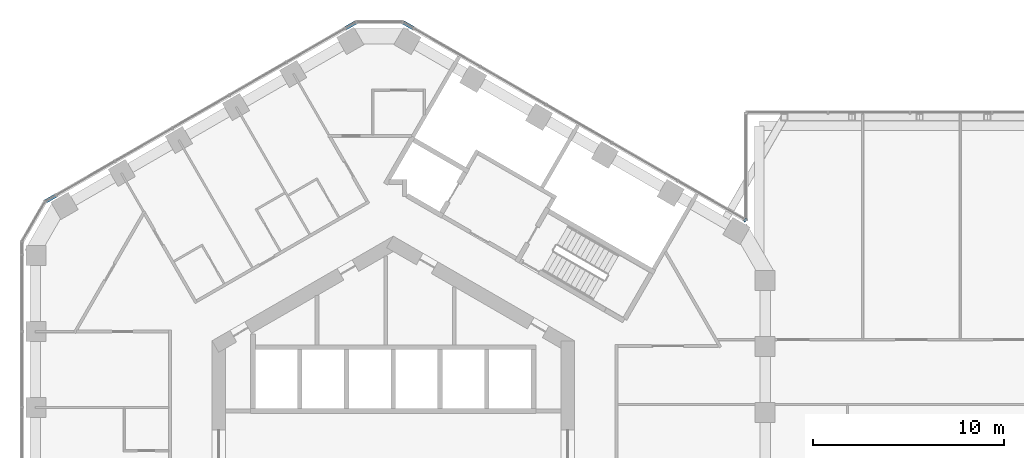
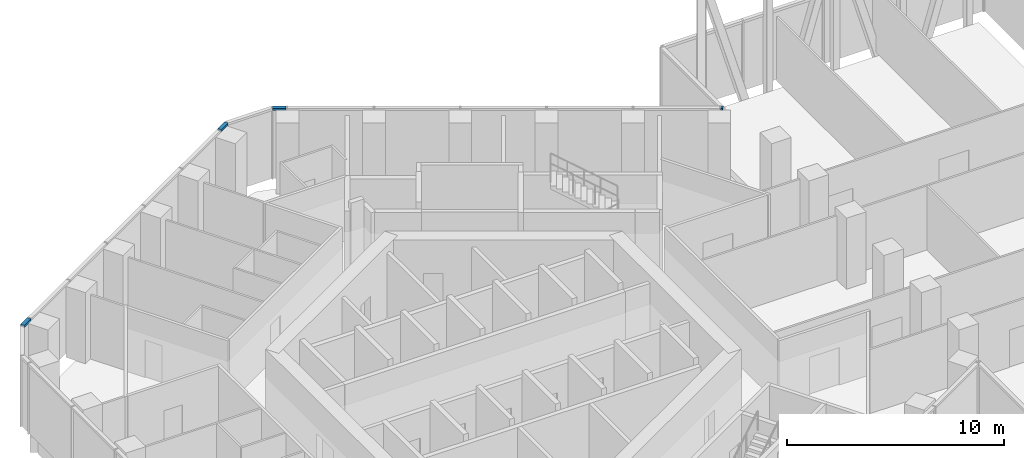
# One storey, part 11 of 24: 4 members, 3 elements without a shape of their own.
"""IFC4 building model written with IfcOpenShell, lengths in metres."""

from ifc_helpers import new_model, si_unit, direction, frame, origin, origin_2d, place, context, subcontext, project, spatial, rectangle, extrude, material, layer, layer_set, material_profile, profile_set, type_object, element, aggregate, save


model = new_model("IFC4")

# Units and contexts
model_context = context("Model", 3, precision=1e-05, world=origin(), true_north=direction((0.0, 1.0)))
body_context = subcontext(model_context, "Body", "Model", "MODEL_VIEW")
ifc_project = project(units=[si_unit("LENGTHUNIT", "METRE"), si_unit("AREAUNIT", "SQUARE_METRE"), si_unit("VOLUMEUNIT", "CUBIC_METRE"), si_unit("PLANEANGLEUNIT", "RADIAN"), si_unit("MASSUNIT", "GRAM", prefix="KILO")], contexts=[model_context])

# Site, building, storey
site_placement = place(None, origin())
site = spatial("IfcSite", under=ifc_project, at=site_placement, CompositionType="ELEMENT")
building_placement = place(site_placement, origin())
building = spatial("IfcBuilding", under=site, at=building_placement, Name="Ayvan Gate Tower", CompositionType="ELEMENT")
storey_placement = place(building_placement, frame((0.0, 0.0, 124.5)))
storey = spatial("IfcBuildingStorey", under=building, at=storey_placement, Name="L33", CompositionType="ELEMENT", Elevation=124.5)

# Curtain wall, member
ifc_material = material(Name="Bronze anodised aluminium", Category="aluminium")
ifc_layer = layer(ifc_material, 0.199951171875)
ifc_layer_set = layer_set([ifc_layer], Name="Bronze anodised aluminium")
curtain_wall_type = type_object("IfcCurtainWallType", Name="Stick curtain wall CW-6", PredefinedType="NOTDEFINED", material=ifc_layer_set)
curtain_wall_1_placement = place(storey_placement, origin())
curtain_wall_1 = element("IfcCurtainWall", 1, at=curtain_wall_1_placement, inside=storey, type_object=curtain_wall_type, Name="Stick curtain wall CW-6 L33", PredefinedType="NOTDEFINED")
ifc_material_profile = material_profile(ifc_material, rectangle(XDim=0.199951171875, YDim=0.1201171875, at=origin_2d()), Name="Stick curtain wall CW-6 transom 200 x 120")
ifc_profile_set = profile_set([ifc_material_profile], Name="Bronze anodised aluminium")
member_type = type_object("IfcMemberType", Name="Stick curtain wall CW-6 transom 200 x 120", PredefinedType="USERDEFINED", material=ifc_profile_set)
member_1_placement = place(storey_placement, frame((18.485595703125, 11.771484375, 3.93994140625), z_axis=(-0.707106781187, 0.707106781187, 0.0), x_axis=(-0.707106781187, -0.707106781187, 0.0)))
member_1 = element("IfcMember", 2, at=member_1_placement, type_object=member_type, Name="CW-6 transom 1", ObjectType="TRANSOM", PredefinedType="USERDEFINED", context=body_context, shape_type="SweptSolid", body=[
    extrude(rectangle(XDim=0.199951171875, YDim=0.1201171875, at=origin_2d()), origin(), (0.0, 0.0, 1.0), 0.099365234375),
])
aggregate(curtain_wall_1, [member_1])

# Curtain wall, members
curtain_wall_2_placement = place(storey_placement, origin())
curtain_wall_2 = element("IfcCurtainWall", 3, at=curtain_wall_2_placement, inside=storey, type_object=curtain_wall_type, Name="Stick curtain wall CW-6 L33", PredefinedType="NOTDEFINED")
member_2_placement = place(storey_placement, frame((1.047607421875, 21.869140625, 3.93994140625), z_axis=(-0.866022959057, 0.500004234368, 0.0), x_axis=(-0.500004234368, -0.866022959057, 0.0)))
member_2 = element("IfcMember", 4, at=member_2_placement, type_object=member_type, Name="CW-6 transom 1", ObjectType="TRANSOM", PredefinedType="USERDEFINED", context=body_context, shape_type="SweptSolid", body=[
    extrude(rectangle(XDim=0.199951171875, YDim=0.1201171875, at=origin_2d()), origin(), (0.0, 0.0, 1.0), 0.625),
])
member_3_placement = place(storey_placement, frame((-1.95166015625, 22.181640625, 3.93994140625), z_axis=(-0.866022959057, -0.500004234368, 0.0), x_axis=(0.500004234368, -0.866022959057, 0.0)))
member_3 = element("IfcMember", 5, at=member_3_placement, type_object=member_type, Name="CW-6 transom 3", ObjectType="TRANSOM", PredefinedType="USERDEFINED", context=body_context, shape_type="SweptSolid", body=[
    extrude(rectangle(XDim=0.199951171875, YDim=0.1201171875, at=origin_2d()), origin(), (0.0, 0.0, 1.0), 0.625),
])
aggregate(curtain_wall_2, [member_2, member_3])

# Curtain wall, member
curtain_wall_3_placement = place(storey_placement, origin())
curtain_wall_3 = element("IfcCurtainWall", 6, at=curtain_wall_3_placement, inside=storey, type_object=curtain_wall_type, Name="Stick curtain wall CW-6 L33", PredefinedType="NOTDEFINED")
member_4_placement = place(storey_placement, frame((-17.692626953125, 13.09326171875, 3.93994140625), z_axis=(-0.866022959057, -0.500004234368, 0.0), x_axis=(0.500004234368, -0.866022959057, 0.0)))
member_4 = element("IfcMember", 7, at=member_4_placement, type_object=member_type, Name="CW-6 transom 1", ObjectType="TRANSOM", PredefinedType="USERDEFINED", context=body_context, shape_type="SweptSolid", body=[
    extrude(rectangle(XDim=0.199951171875, YDim=0.1201171875, at=origin_2d()), origin(), (0.0, 0.0, 1.0), 0.625),
])
aggregate(curtain_wall_3, [member_4])

save(model, "model.ifc")
